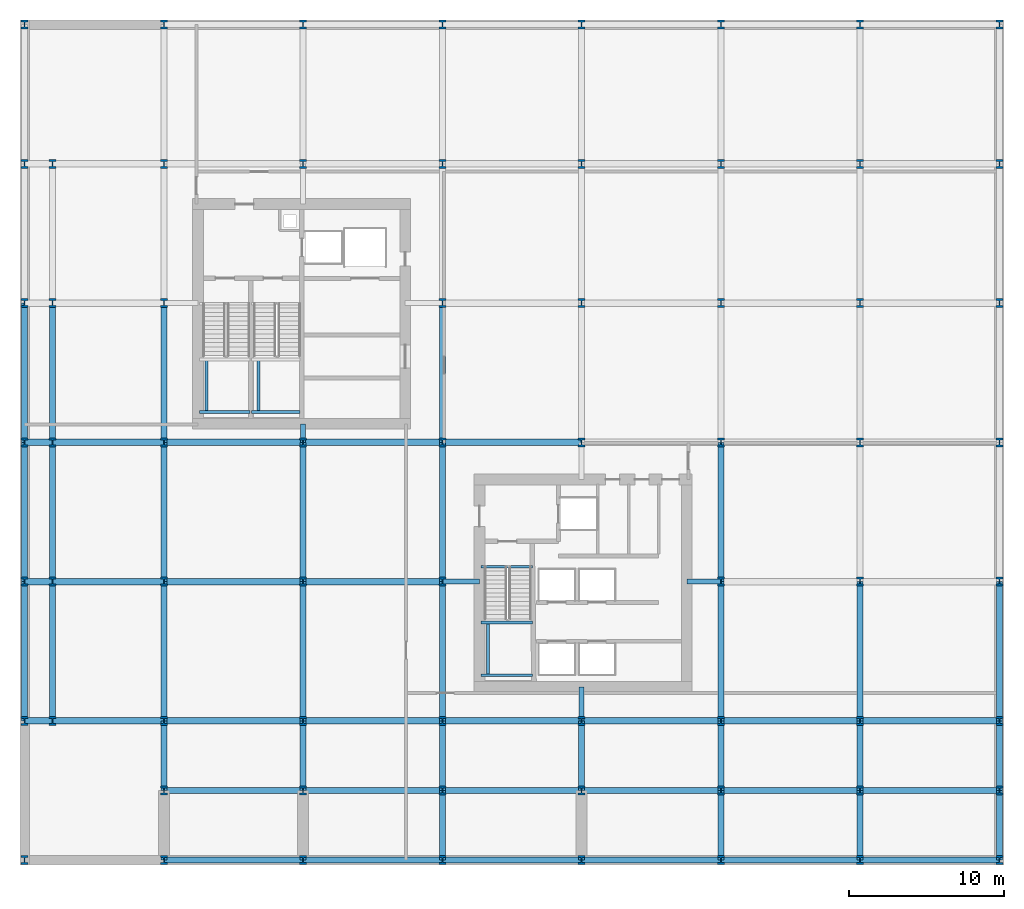
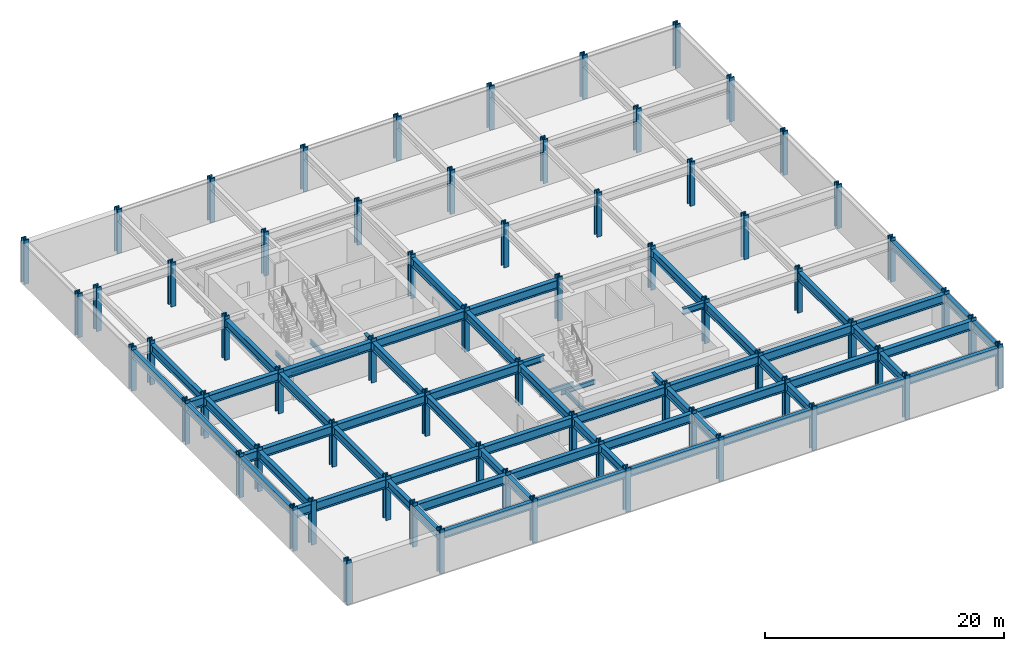
# One storey, part 1 of 6: 73 beams, 66 columns.
"""IFC4 building model written with IfcOpenShell, lengths in metres."""

from ifc_helpers import new_model, si_unit, direction, frame, origin, origin_2d, place, context, subcontext, project, spatial, i_section, extrude, material, material_profile, profile_set, type_object, element, save


model = new_model("IFC4")

# Units and contexts
model_context = context("Model", 3, precision=1e-05, world=origin(), true_north=direction((0.0, 1.0)))
body_context = subcontext(model_context, "Body", "Model", "MODEL_VIEW")
ifc_project = project(units=[si_unit("LENGTHUNIT", "METRE"), si_unit("AREAUNIT", "SQUARE_METRE"), si_unit("VOLUMEUNIT", "CUBIC_METRE"), si_unit("PLANEANGLEUNIT", "RADIAN"), si_unit("MASSUNIT", "GRAM", prefix="KILO")], contexts=[model_context])

# Site, building, storey
site_placement = place(None, origin())
site = spatial("IfcSite", under=ifc_project, at=site_placement, CompositionType="ELEMENT")
building_placement = place(site_placement, origin())
building = spatial("IfcBuilding", under=site, at=building_placement, Name="Solvaryn Broadcast Tower", CompositionType="ELEMENT")
storey_placement = place(building_placement, frame((0.0, 0.0, -4.5)))
storey = spatial("IfcBuildingStorey", under=building, at=storey_placement, Name="B01", CompositionType="ELEMENT", Elevation=-4.5)

# Columns
ifc_material_1 = material(Name="Steel ASTM A913 Grade 65", Category="steel")
ifc_material_profile_1 = material_profile(ifc_material_1, i_section(OverallWidth=0.4541015625, OverallDepth=0.569091796875, WebThickness=0.077880859375, FlangeThickness=0.124755859375, FilletRadius=0.014892578125, at=origin_2d()))
ifc_profile_set_1 = profile_set([ifc_material_profile_1], Name="Steel ASTM A913 Grade 65")
column_type_1 = type_object("IfcColumnType", Name="COL-C01E-W14X730", PredefinedType="COLUMN", material=ifc_profile_set_1)
for number, where, z_axis, x_axis, name in (
    (1, (0.0, 0.0, 0.0), (0.0, 0.0, 1.0), (1.0, 0.0, 0.0), "B01 Column (0.0, 0.0)"),
    (2, (0.0, 9.0, 0.0), (0.0, 0.0, 1.0), (1.0, 0.0, 0.0), "B01 Column (0.0, 9.0)"),
    (3, (0.0, 18.0, 0.0), (0.0, 0.0, 1.0), (1.0, 0.0, 0.0), "B01 Column (0.0, 18.0)"),
    (4, (0.0, 27.0, 0.0), (0.0, 0.0, 1.0), (1.0, 0.0, 0.0), "B01 Column (0.0, 27.0)"),
    (5, (0.0, 36.0, 0.0), (0.0, 0.0, 1.0), (1.0, 0.0, 0.0), "B01 Column (0.0, 36.0)"),
    (6, (0.0, 45.0, 0.0), (0.0, 0.0, 1.0), (1.0, 0.0, 0.0), "B01 Column (0.0, 45.0)"),
    (7, (0.0, 54.0, 0.0), (0.0, 0.0, 1.0), (1.0, 0.0, 0.0), "B01 Column (0.0, 54.0)"),
    (8, (9.0, 0.0, 0.0), (0.0, 0.0, 1.0), (1.0, 0.0, 0.0), "B01 Column (9.0, 0.0)"),
    (9, (9.0, 54.0, 0.0), (0.0, 0.0, 1.0), (1.0, 0.0, 0.0), "B01 Column (9.0, 54.0)"),
    (10, (18.0, 0.0, 0.0), (0.0, 0.0, 1.0), (1.0, 0.0, 0.0), "B01 Column (18.0, 0.0)"),
    (11, (18.0, 54.0, 0.0), (0.0, 0.0, 1.0), (1.0, 0.0, 0.0), "B01 Column (18.0, 54.0)"),
    (12, (27.0, 0.0, 0.0), (0.0, 0.0, 1.0), (1.0, 0.0, 0.0), "B01 Column (27.0, 0.0)"),
    (13, (27.0, 54.0, 0.0), (0.0, 0.0, 1.0), (1.0, 0.0, 0.0), "B01 Column (27.0, 54.0)"),
    (14, (36.0, 0.0, 0.0), (0.0, 0.0, 1.0), (1.0, 0.0, 0.0), "B01 Column (36.0, 0.0)"),
    (15, (36.0, 54.0, 0.0), (0.0, 0.0, 1.0), (1.0, 0.0, 0.0), "B01 Column (36.0, 54.0)"),
    (16, (45.0, 0.0, 0.0), (0.0, 0.0, 1.0), (1.0, 0.0, 0.0), "B01 Column (45.0, 0.0)"),
    (17, (45.0, 54.0, 0.0), (0.0, 0.0, 1.0), (1.0, 0.0, 0.0), "B01 Column (45.0, 54.0)"),
    (18, (54.0, 0.0, 0.0), (0.0, 0.0, 1.0), (1.0, 0.0, 0.0), "B01 Column (54.0, 0.0)"),
    (19, (54.0, 54.0, 0.0), (0.0, 0.0, 1.0), (1.0, 0.0, 0.0), "B01 Column (54.0, 54.0)"),
    (20, (63.0, 0.0, 0.0), (0.0, 0.0, 1.0), (1.0, 0.0, 0.0), "B01 Column (63.0, 0.0)"),
    (21, (63.0, 9.0, 0.0), (0.0, 0.0, 1.0), (1.0, 0.0, 0.0), "B01 Column (63.0, 9.0)"),
    (22, (63.0, 18.0, 0.0), (0.0, 0.0, 1.0), (1.0, 0.0, 0.0), "B01 Column (63.0, 18.0)"),
    (23, (63.0, 27.0, 0.0), (0.0, 0.0, 1.0), (1.0, 0.0, 0.0), "B01 Column (63.0, 27.0)"),
    (24, (63.0, 36.0, 0.0), (0.0, 0.0, 1.0), (1.0, 0.0, 0.0), "B01 Column (63.0, 36.0)"),
    (25, (63.0, 45.0, 0.0), (0.0, 0.0, 1.0), (1.0, 0.0, 0.0), "B01 Column (63.0, 45.0)"),
    (26, (63.0, 54.0, 0.0), (0.0, 0.0, 1.0), (1.0, 0.0, 0.0), "B01 Column (63.0, 54.0)"),
):
    element("IfcColumn", number, at=place(storey_placement, frame(where, z_axis=z_axis, x_axis=x_axis)), inside=storey, type_object=column_type_1, Name=name, PredefinedType="COLUMN", context=body_context, shape_type="SweptSolid", body=[
        extrude(i_section(OverallWidth=0.4541015625, OverallDepth=0.569091796875, WebThickness=0.077880859375, FlangeThickness=0.124755859375, FilletRadius=0.014892578125, at=origin_2d()), origin(), (0.0, 0.0, 1.0), 4.5),
    ])
ifc_material_2 = material(Name="Steel ASTM A913 Grade 65", Category="steel")
ifc_material_profile_2 = material_profile(ifc_material_2, i_section(OverallWidth=0.4541015625, OverallDepth=0.569091796875, WebThickness=0.077880859375, FlangeThickness=0.124755859375, FilletRadius=0.014892578125, at=origin_2d()))
ifc_profile_set_2 = profile_set([ifc_material_profile_2], Name="Steel ASTM A913 Grade 65")
column_type_2 = type_object("IfcColumnType", Name="COL-C01I-W14X730", PredefinedType="COLUMN", material=ifc_profile_set_2)
for number, where, z_axis, x_axis, name in (
    (27, (9.0, 9.0, 0.0), (0.0, 0.0, 1.0), (1.0, 0.0, 0.0), "B01 Column (9.0, 9.0)"),
    (28, (9.0, 18.0, 0.0), (0.0, 0.0, 1.0), (1.0, 0.0, 0.0), "B01 Column (9.0, 18.0)"),
    (29, (9.0, 27.0, 0.0), (0.0, 0.0, 1.0), (1.0, 0.0, 0.0), "B01 Column (9.0, 27.0)"),
    (30, (9.0, 36.0, 0.0), (0.0, 0.0, 1.0), (1.0, 0.0, 0.0), "B01 Column (9.0, 36.0)"),
    (31, (9.0, 45.0, 0.0), (0.0, 0.0, 1.0), (1.0, 0.0, 0.0), "B01 Column (9.0, 45.0)"),
    (32, (18.0, 9.0, 0.0), (0.0, 0.0, 1.0), (1.0, 0.0, 0.0), "B01 Column (18.0, 9.0)"),
    (33, (18.0, 18.0, 0.0), (0.0, 0.0, 1.0), (1.0, 0.0, 0.0), "B01 Column (18.0, 18.0)"),
    (34, (18.0, 27.0, 0.0), (0.0, 0.0, 1.0), (1.0, 0.0, 0.0), "B01 Column (18.0, 27.0)"),
    (35, (18.0, 45.0, 0.0), (0.0, 0.0, 1.0), (1.0, 0.0, 0.0), "B01 Column (18.0, 45.0)"),
    (36, (27.0, 9.0, 0.0), (0.0, 0.0, 1.0), (1.0, 0.0, 0.0), "B01 Column (27.0, 9.0)"),
    (37, (27.0, 18.0, 0.0), (0.0, 0.0, 1.0), (1.0, 0.0, 0.0), "B01 Column (27.0, 18.0)"),
    (38, (27.0, 27.0, 0.0), (0.0, 0.0, 1.0), (1.0, 0.0, 0.0), "B01 Column (27.0, 27.0)"),
    (39, (27.0, 36.0, 0.0), (0.0, 0.0, 1.0), (1.0, 0.0, 0.0), "B01 Column (27.0, 36.0)"),
    (40, (27.0, 45.0, 0.0), (0.0, 0.0, 1.0), (1.0, 0.0, 0.0), "B01 Column (27.0, 45.0)"),
    (41, (36.0, 9.0, 0.0), (0.0, 0.0, 1.0), (1.0, 0.0, 0.0), "B01 Column (36.0, 9.0)"),
    (42, (36.0, 27.0, 0.0), (0.0, 0.0, 1.0), (1.0, 0.0, 0.0), "B01 Column (36.0, 27.0)"),
    (43, (36.0, 36.0, 0.0), (0.0, 0.0, 1.0), (1.0, 0.0, 0.0), "B01 Column (36.0, 36.0)"),
    (44, (36.0, 45.0, 0.0), (0.0, 0.0, 1.0), (1.0, 0.0, 0.0), "B01 Column (36.0, 45.0)"),
    (45, (45.0, 9.0, 0.0), (0.0, 0.0, 1.0), (1.0, 0.0, 0.0), "B01 Column (45.0, 9.0)"),
    (46, (45.0, 18.0, 0.0), (0.0, 0.0, 1.0), (1.0, 0.0, 0.0), "B01 Column (45.0, 18.0)"),
    (47, (45.0, 27.0, 0.0), (0.0, 0.0, 1.0), (1.0, 0.0, 0.0), "B01 Column (45.0, 27.0)"),
    (48, (45.0, 36.0, 0.0), (0.0, 0.0, 1.0), (1.0, 0.0, 0.0), "B01 Column (45.0, 36.0)"),
    (49, (45.0, 45.0, 0.0), (0.0, 0.0, 1.0), (1.0, 0.0, 0.0), "B01 Column (45.0, 45.0)"),
    (50, (54.0, 9.0, 0.0), (0.0, 0.0, 1.0), (1.0, 0.0, 0.0), "B01 Column (54.0, 9.0)"),
    (51, (54.0, 18.0, 0.0), (0.0, 0.0, 1.0), (1.0, 0.0, 0.0), "B01 Column (54.0, 18.0)"),
    (52, (54.0, 27.0, 0.0), (0.0, 0.0, 1.0), (1.0, 0.0, 0.0), "B01 Column (54.0, 27.0)"),
    (53, (54.0, 36.0, 0.0), (0.0, 0.0, 1.0), (1.0, 0.0, 0.0), "B01 Column (54.0, 36.0)"),
    (54, (54.0, 45.0, 0.0), (0.0, 0.0, 1.0), (1.0, 0.0, 0.0), "B01 Column (54.0, 45.0)"),
    (55, (9.0, 4.5, 0.0), (0.0, 0.0, 1.0), (1.0, 0.0, 0.0), "B01 Column (9.0, 4.5)"),
    (56, (18.0, 4.5, 0.0), (0.0, 0.0, 1.0), (1.0, 0.0, 0.0), "B01 Column (18.0, 4.5)"),
    (57, (27.0, 4.5, 0.0), (0.0, 0.0, 1.0), (1.0, 0.0, 0.0), "B01 Column (27.0, 4.5)"),
    (58, (36.0, 4.5, 0.0), (0.0, 0.0, 1.0), (1.0, 0.0, 0.0), "B01 Column (36.0, 4.5)"),
    (59, (45.0, 4.5, 0.0), (0.0, 0.0, 1.0), (1.0, 0.0, 0.0), "B01 Column (45.0, 4.5)"),
    (60, (54.0, 4.5, 0.0), (0.0, 0.0, 1.0), (1.0, 0.0, 0.0), "B01 Column (54.0, 4.5)"),
    (61, (63.0, 4.5, 0.0), (0.0, 0.0, 1.0), (1.0, 0.0, 0.0), "B01 Column (63.0, 4.5)"),
    (62, (1.800048828125, 9.0, 0.0), (0.0, 0.0, 1.0), (1.0, 0.0, 0.0), "B01 Column (1.8, 9.0)"),
    (63, (1.800048828125, 18.0, 0.0), (0.0, 0.0, 1.0), (1.0, 0.0, 0.0), "B01 Column (1.8, 18.0)"),
    (64, (1.800048828125, 27.0, 0.0), (0.0, 0.0, 1.0), (1.0, 0.0, 0.0), "B01 Column (1.8, 27.0)"),
    (65, (1.800048828125, 36.0, 0.0), (0.0, 0.0, 1.0), (1.0, 0.0, 0.0), "B01 Column (1.8, 36.0)"),
    (66, (1.800048828125, 45.0, 0.0), (0.0, 0.0, 1.0), (1.0, 0.0, 0.0), "B01 Column (1.8, 45.0)"),
):
    element("IfcColumn", number, at=place(storey_placement, frame(where, z_axis=z_axis, x_axis=x_axis)), inside=storey, type_object=column_type_2, Name=name, PredefinedType="COLUMN", context=body_context, shape_type="SweptSolid", body=[
        extrude(i_section(OverallWidth=0.4541015625, OverallDepth=0.569091796875, WebThickness=0.077880859375, FlangeThickness=0.124755859375, FilletRadius=0.014892578125, at=origin_2d()), origin(), (0.0, 0.0, 1.0), 4.5),
    ])

# Beams
ifc_material_3 = material(Name="Steel ASTM A992 Grade 50", Category="steel")
ifc_material_profile_3 = material_profile(ifc_material_3, i_section(OverallWidth=0.323974609375, OverallDepth=0.611083984375, WebThickness=0.0126953125, FlangeThickness=0.01904296875, FilletRadius=0.014892578125, at=origin_2d()))
ifc_profile_set_3 = profile_set([ifc_material_profile_3], Name="Steel ASTM A992 Grade 50")
beam_type_1 = type_object("IfcBeamType", Name="BM-B1-W24X104", PredefinedType="BEAM", material=ifc_profile_set_3)
for number, where, z_axis, x_axis, name in (
    (67, (36.0, 9.0, 3.87451171875), (0.0, 1.0, 0.0), (-1.0, 0.0, 0.0), "B01 Core Tie Beam CTE1"),
    (68, (42.800048828125, 18.0, 3.87451171875), (1.0, 0.0, 0.0), (0.0, 1.0, 0.0), "B01 Core Tie Beam CTE3"),
):
    element("IfcBeam", number, at=place(storey_placement, frame(where, z_axis=z_axis, x_axis=x_axis)), inside=storey, type_object=beam_type_1, Name=name, PredefinedType="BEAM", context=body_context, shape_type="SweptSolid", body=[
        extrude(i_section(OverallWidth=0.323974609375, OverallDepth=0.611083984375, WebThickness=0.0126953125, FlangeThickness=0.01904296875, FilletRadius=0.014892578125, at=origin_2d()), origin(), (0.0, 0.0, 1.0), 2.199951171875),
    ])
beam_1_placement = place(storey_placement, frame((18.0, 27.0, 3.87451171875), z_axis=(0.0, 1.0, 0.0), x_axis=(-1.0, 0.0, 0.0)))
element("IfcBeam", 69, at=beam_1_placement, inside=storey, type_object=beam_type_1, Name="B01 Core Tie Beam CTW4", PredefinedType="BEAM", context=body_context, shape_type="SweptSolid", body=[
    extrude(i_section(OverallWidth=0.323974609375, OverallDepth=0.611083984375, WebThickness=0.0126953125, FlangeThickness=0.01904296875, FilletRadius=0.014892578125, at=origin_2d()), origin(), (0.0, 0.0, 1.0), 1.199951171875),
])
beam_2_placement = place(storey_placement, frame((27.0, 18.0, 3.87451171875), z_axis=(1.0, 0.0, 0.0), x_axis=(0.0, 1.0, 0.0)))
element("IfcBeam", 70, at=beam_2_placement, inside=storey, type_object=beam_type_1, Name="B01 Core Tie Beam CTE4", PredefinedType="BEAM", context=body_context, shape_type="SweptSolid", body=[
    extrude(i_section(OverallWidth=0.323974609375, OverallDepth=0.611083984375, WebThickness=0.0126953125, FlangeThickness=0.01904296875, FilletRadius=0.014892578125, at=origin_2d()), origin(), (0.0, 0.0, 1.0), 2.39990234375),
])
ifc_material_4 = material(Name="Steel ASTM A992 Grade 50", Category="steel")
ifc_material_profile_4 = material_profile(ifc_material_4, i_section(OverallWidth=0.18994140625, OverallDepth=0.45703125, WebThickness=0.009033203125, FlangeThickness=0.014404296875, FilletRadius=0.011962890625, at=origin_2d()))
ifc_profile_set_4 = profile_set([ifc_material_profile_4], Name="Steel ASTM A992 Grade 50")
beam_type_2 = type_object("IfcBeamType", Name="BM-B4-W18X50", PredefinedType="BEAM", material=ifc_profile_set_4)
beam_3_placement = place(storey_placement, frame((11.300048828125, 28.949951171875, 1.821533203125), z_axis=(1.0, 0.0, 0.0), x_axis=(0.0, 1.0, 0.0)))
element("IfcBeam", 71, at=beam_3_placement, inside=storey, type_object=beam_type_2, Name="B01 ST1 Landing Support Beam 1A", PredefinedType="BEAM", context=body_context, shape_type="SweptSolid", body=[
    extrude(i_section(OverallWidth=0.18994140625, OverallDepth=0.45703125, WebThickness=0.009033203125, FlangeThickness=0.014404296875, FilletRadius=0.011962890625, at=origin_2d()), origin(), (0.0, 0.0, 1.0), 3.280029296875),
])
beam_4_placement = place(storey_placement, frame((11.75, 28.949951171875, 1.821533203125), z_axis=(0.0, 1.0, 0.0), x_axis=(-1.0, 0.0, 0.0)))
element("IfcBeam", 72, at=beam_4_placement, inside=storey, type_object=beam_type_2, Name="B01 ST1 Landing Cross Stringer 1C", PredefinedType="BEAM", context=body_context, shape_type="SweptSolid", body=[
    extrude(i_section(OverallWidth=0.18994140625, OverallDepth=0.45703125, WebThickness=0.009033203125, FlangeThickness=0.014404296875, FilletRadius=0.011962890625, at=origin_2d()), origin(), (0.0, 0.0, 1.0), 3.400146484375),
])
beam_5_placement = place(storey_placement, frame((14.659912109375, 28.949951171875, 1.821533203125), z_axis=(1.0, 0.0, 0.0), x_axis=(0.0, 1.0, 0.0)))
element("IfcBeam", 73, at=beam_5_placement, inside=storey, type_object=beam_type_2, Name="B01 ST2 Landing Support Beam 1A", PredefinedType="BEAM", context=body_context, shape_type="SweptSolid", body=[
    extrude(i_section(OverallWidth=0.18994140625, OverallDepth=0.45703125, WebThickness=0.009033203125, FlangeThickness=0.014404296875, FilletRadius=0.011962890625, at=origin_2d()), origin(), (0.0, 0.0, 1.0), 3.14013671875),
])
beam_6_placement = place(storey_placement, frame((15.110107421875, 28.949951171875, 1.821533203125), z_axis=(0.0, 1.0, 0.0), x_axis=(-1.0, 0.0, 0.0)))
element("IfcBeam", 74, at=beam_6_placement, inside=storey, type_object=beam_type_2, Name="B01 ST2 Landing Cross Stringer 1C", PredefinedType="BEAM", context=body_context, shape_type="SweptSolid", body=[
    extrude(i_section(OverallWidth=0.18994140625, OverallDepth=0.45703125, WebThickness=0.009033203125, FlangeThickness=0.014404296875, FilletRadius=0.011962890625, at=origin_2d()), origin(), (0.0, 0.0, 1.0), 3.400146484375),
])
for number, where, z_axis, x_axis, name in (
    (75, (29.5, 18.9599609375, -0.57861328125), (1.0, 0.0, 0.0), (0.0, 1.0, 0.0), "B01 ST3 Stair Well Trimmer Beam"),
    (76, (29.5, 11.949951171875, 1.821533203125), (1.0, 0.0, 0.0), (0.0, 1.0, 0.0), "B01 ST3 Landing Support Beam 1A"),
    (77, (29.5, 15.35009765625, 1.821533203125), (1.0, 0.0, 0.0), (0.0, 1.0, 0.0), "B01 ST3 Landing Support Beam 1B"),
):
    element("IfcBeam", number, at=place(storey_placement, frame(where, z_axis=z_axis, x_axis=x_axis)), inside=storey, type_object=beam_type_2, Name=name, PredefinedType="BEAM", context=body_context, shape_type="SweptSolid", body=[
        extrude(i_section(OverallWidth=0.18994140625, OverallDepth=0.45703125, WebThickness=0.009033203125, FlangeThickness=0.014404296875, FilletRadius=0.011962890625, at=origin_2d()), origin(), (0.0, 0.0, 1.0), 3.320068359375),
    ])
beam_7_placement = place(storey_placement, frame((29.949951171875, 11.949951171875, 1.821533203125), z_axis=(0.0, 1.0, 0.0), x_axis=(-1.0, 0.0, 0.0)))
element("IfcBeam", 78, at=beam_7_placement, inside=storey, type_object=beam_type_2, Name="B01 ST3 Landing Cross Stringer 1C", PredefinedType="BEAM", context=body_context, shape_type="SweptSolid", body=[
    extrude(i_section(OverallWidth=0.18994140625, OverallDepth=0.45703125, WebThickness=0.009033203125, FlangeThickness=0.014404296875, FilletRadius=0.011962890625, at=origin_2d()), origin(), (0.0, 0.0, 1.0), 3.400146484375),
])
ifc_material_5 = material(Name="Steel ASTM A992 Grade 50", Category="steel")
ifc_material_profile_5 = material_profile(ifc_material_5, i_section(OverallWidth=0.41796875, OverallDepth=0.927001953125, WebThickness=0.019287109375, FlangeThickness=0.031982421875, FilletRadius=0.02392578125, at=origin_2d()))
ifc_profile_set_5 = profile_set([ifc_material_profile_5], Name="Steel ASTM A992 Grade 50")
beam_type_3 = type_object("IfcBeamType", Name="BM-G2-W36X231", PredefinedType="BEAM", material=ifc_profile_set_5)
for number, where, z_axis, x_axis, name in (
    (79, (9.0, 4.5, 3.716552734375), (1.0, 0.0, 0.0), (0.0, 1.0, 0.0), "B01 Primary Beam X (9-18 @ Y=4)"),
    (80, (18.0, 4.5, 3.716552734375), (1.0, 0.0, 0.0), (0.0, 1.0, 0.0), "B01 Primary Beam X (18-27 @ Y=4)"),
    (81, (27.0, 4.5, 3.716552734375), (1.0, 0.0, 0.0), (0.0, 1.0, 0.0), "B01 Primary Beam X (27-36 @ Y=4)"),
    (82, (36.0, 4.5, 3.716552734375), (1.0, 0.0, 0.0), (0.0, 1.0, 0.0), "B01 Primary Beam X (36-45 @ Y=4)"),
    (83, (45.0, 4.5, 3.716552734375), (1.0, 0.0, 0.0), (0.0, 1.0, 0.0), "B01 Primary Beam X (45-54 @ Y=4)"),
    (84, (54.0, 4.5, 3.716552734375), (1.0, 0.0, 0.0), (0.0, 1.0, 0.0), "B01 Primary Beam X (54-63 @ Y=4)"),
):
    element("IfcBeam", number, at=place(storey_placement, frame(where, z_axis=z_axis, x_axis=x_axis)), inside=storey, type_object=beam_type_3, Name=name, PredefinedType="BEAM", context=body_context, shape_type="SweptSolid", body=[
        extrude(i_section(OverallWidth=0.41796875, OverallDepth=0.927001953125, WebThickness=0.019287109375, FlangeThickness=0.031982421875, FilletRadius=0.02392578125, at=origin_2d()), origin(), (0.0, 0.0, 1.0), 9.0),
    ])
beam_8_placement = place(storey_placement, frame((0.0, 9.0, 3.716552734375), z_axis=(1.0, 0.0, 0.0), x_axis=(0.0, 1.0, 0.0)))
element("IfcBeam", 85, at=beam_8_placement, inside=storey, type_object=beam_type_3, Name="B01 Primary Beam X (0-2 @ Y=9)", PredefinedType="BEAM", context=body_context, shape_type="SweptSolid", body=[
    extrude(i_section(OverallWidth=0.41796875, OverallDepth=0.927001953125, WebThickness=0.019287109375, FlangeThickness=0.031982421875, FilletRadius=0.02392578125, at=origin_2d()), origin(), (0.0, 0.0, 1.0), 1.800048828125),
])
beam_9_placement = place(storey_placement, frame((1.800048828125, 9.0, 3.716552734375), z_axis=(1.0, 0.0, 0.0), x_axis=(0.0, 1.0, 0.0)))
element("IfcBeam", 86, at=beam_9_placement, inside=storey, type_object=beam_type_3, Name="B01 Primary Beam X (2-9 @ Y=9)", PredefinedType="BEAM", context=body_context, shape_type="SweptSolid", body=[
    extrude(i_section(OverallWidth=0.41796875, OverallDepth=0.927001953125, WebThickness=0.019287109375, FlangeThickness=0.031982421875, FilletRadius=0.02392578125, at=origin_2d()), origin(), (0.0, 0.0, 1.0), 7.199951171875),
])
for number, where, z_axis, x_axis, name in (
    (87, (9.0, 9.0, 3.716552734375), (1.0, 0.0, 0.0), (0.0, 1.0, 0.0), "B01 Primary Beam X (9-18 @ Y=9)"),
    (88, (18.0, 9.0, 3.716552734375), (1.0, 0.0, 0.0), (0.0, 1.0, 0.0), "B01 Primary Beam X (18-27 @ Y=9)"),
    (89, (27.0, 9.0, 3.716552734375), (1.0, 0.0, 0.0), (0.0, 1.0, 0.0), "B01 Primary Beam X (27-36 @ Y=9)"),
    (90, (36.0, 9.0, 3.716552734375), (1.0, 0.0, 0.0), (0.0, 1.0, 0.0), "B01 Primary Beam X (36-45 @ Y=9)"),
    (91, (45.0, 9.0, 3.716552734375), (1.0, 0.0, 0.0), (0.0, 1.0, 0.0), "B01 Primary Beam X (45-54 @ Y=9)"),
    (92, (54.0, 9.0, 3.716552734375), (1.0, 0.0, 0.0), (0.0, 1.0, 0.0), "B01 Primary Beam X (54-63 @ Y=9)"),
):
    element("IfcBeam", number, at=place(storey_placement, frame(where, z_axis=z_axis, x_axis=x_axis)), inside=storey, type_object=beam_type_3, Name=name, PredefinedType="BEAM", context=body_context, shape_type="SweptSolid", body=[
        extrude(i_section(OverallWidth=0.41796875, OverallDepth=0.927001953125, WebThickness=0.019287109375, FlangeThickness=0.031982421875, FilletRadius=0.02392578125, at=origin_2d()), origin(), (0.0, 0.0, 1.0), 9.0),
    ])
beam_10_placement = place(storey_placement, frame((0.0, 18.0, 3.716552734375), z_axis=(1.0, 0.0, 0.0), x_axis=(0.0, 1.0, 0.0)))
element("IfcBeam", 93, at=beam_10_placement, inside=storey, type_object=beam_type_3, Name="B01 Primary Beam X (0-2 @ Y=18)", PredefinedType="BEAM", context=body_context, shape_type="SweptSolid", body=[
    extrude(i_section(OverallWidth=0.41796875, OverallDepth=0.927001953125, WebThickness=0.019287109375, FlangeThickness=0.031982421875, FilletRadius=0.02392578125, at=origin_2d()), origin(), (0.0, 0.0, 1.0), 1.800048828125),
])
beam_11_placement = place(storey_placement, frame((1.800048828125, 18.0, 3.716552734375), z_axis=(1.0, 0.0, 0.0), x_axis=(0.0, 1.0, 0.0)))
element("IfcBeam", 94, at=beam_11_placement, inside=storey, type_object=beam_type_3, Name="B01 Primary Beam X (2-9 @ Y=18)", PredefinedType="BEAM", context=body_context, shape_type="SweptSolid", body=[
    extrude(i_section(OverallWidth=0.41796875, OverallDepth=0.927001953125, WebThickness=0.019287109375, FlangeThickness=0.031982421875, FilletRadius=0.02392578125, at=origin_2d()), origin(), (0.0, 0.0, 1.0), 7.199951171875),
])
for number, where, z_axis, x_axis, name in (
    (95, (9.0, 18.0, 3.716552734375), (1.0, 0.0, 0.0), (0.0, 1.0, 0.0), "B01 Primary Beam X (9-18 @ Y=18)"),
    (96, (18.0, 18.0, 3.716552734375), (1.0, 0.0, 0.0), (0.0, 1.0, 0.0), "B01 Primary Beam X (18-27 @ Y=18)"),
):
    element("IfcBeam", number, at=place(storey_placement, frame(where, z_axis=z_axis, x_axis=x_axis)), inside=storey, type_object=beam_type_3, Name=name, PredefinedType="BEAM", context=body_context, shape_type="SweptSolid", body=[
        extrude(i_section(OverallWidth=0.41796875, OverallDepth=0.927001953125, WebThickness=0.019287109375, FlangeThickness=0.031982421875, FilletRadius=0.02392578125, at=origin_2d()), origin(), (0.0, 0.0, 1.0), 9.0),
    ])
beam_12_placement = place(storey_placement, frame((0.0, 27.0, 3.716552734375), z_axis=(1.0, 0.0, 0.0), x_axis=(0.0, 1.0, 0.0)))
element("IfcBeam", 97, at=beam_12_placement, inside=storey, type_object=beam_type_3, Name="B01 Primary Beam X (0-2 @ Y=27)", PredefinedType="BEAM", context=body_context, shape_type="SweptSolid", body=[
    extrude(i_section(OverallWidth=0.41796875, OverallDepth=0.927001953125, WebThickness=0.019287109375, FlangeThickness=0.031982421875, FilletRadius=0.02392578125, at=origin_2d()), origin(), (0.0, 0.0, 1.0), 1.800048828125),
])
beam_13_placement = place(storey_placement, frame((1.800048828125, 27.0, 3.716552734375), z_axis=(1.0, 0.0, 0.0), x_axis=(0.0, 1.0, 0.0)))
element("IfcBeam", 98, at=beam_13_placement, inside=storey, type_object=beam_type_3, Name="B01 Primary Beam X (2-9 @ Y=27)", PredefinedType="BEAM", context=body_context, shape_type="SweptSolid", body=[
    extrude(i_section(OverallWidth=0.41796875, OverallDepth=0.927001953125, WebThickness=0.019287109375, FlangeThickness=0.031982421875, FilletRadius=0.02392578125, at=origin_2d()), origin(), (0.0, 0.0, 1.0), 7.199951171875),
])
for number, where, z_axis, x_axis, name in (
    (99, (9.0, 27.0, 3.716552734375), (1.0, 0.0, 0.0), (0.0, 1.0, 0.0), "B01 Primary Beam X (9-18 @ Y=27)"),
    (100, (18.0, 27.0, 3.716552734375), (1.0, 0.0, 0.0), (0.0, 1.0, 0.0), "B01 Primary Beam X (18-27 @ Y=27)"),
    (101, (27.0, 27.0, 3.716552734375), (1.0, 0.0, 0.0), (0.0, 1.0, 0.0), "B01 Primary Beam X (27-36 @ Y=27)"),
):
    element("IfcBeam", number, at=place(storey_placement, frame(where, z_axis=z_axis, x_axis=x_axis)), inside=storey, type_object=beam_type_3, Name=name, PredefinedType="BEAM", context=body_context, shape_type="SweptSolid", body=[
        extrude(i_section(OverallWidth=0.41796875, OverallDepth=0.927001953125, WebThickness=0.019287109375, FlangeThickness=0.031982421875, FilletRadius=0.02392578125, at=origin_2d()), origin(), (0.0, 0.0, 1.0), 9.0),
    ])
ifc_material_6 = material(Name="Steel ASTM A992 Grade 50", Category="steel")
ifc_material_profile_6 = material_profile(ifc_material_6, i_section(OverallWidth=0.39990234375, OverallDepth=0.85498046875, WebThickness=0.018310546875, FlangeThickness=0.029296875, FilletRadius=0.02001953125, at=origin_2d()))
ifc_profile_set_6 = profile_set([ifc_material_profile_6], Name="Steel ASTM A992 Grade 50")
beam_type_4 = type_object("IfcBeamType", Name="BM-G3-W33X201", PredefinedType="BEAM", material=ifc_profile_set_6)
for number, where, z_axis, x_axis, name in (
    (102, (1.800048828125, 9.0, 3.75244140625), (0.0, 1.0, 0.0), (-1.0, 0.0, 0.0), "B01 Primary Beam Y (9-18 @ X=2)"),
    (103, (1.800048828125, 18.0, 3.75244140625), (0.0, 1.0, 0.0), (-1.0, 0.0, 0.0), "B01 Primary Beam Y (18-27 @ X=2)"),
    (104, (1.800048828125, 27.0, 3.75244140625), (0.0, 1.0, 0.0), (-1.0, 0.0, 0.0), "B01 Primary Beam Y (27-36 @ X=2)"),
):
    element("IfcBeam", number, at=place(storey_placement, frame(where, z_axis=z_axis, x_axis=x_axis)), inside=storey, type_object=beam_type_4, Name=name, PredefinedType="BEAM", context=body_context, shape_type="SweptSolid", body=[
        extrude(i_section(OverallWidth=0.39990234375, OverallDepth=0.85498046875, WebThickness=0.018310546875, FlangeThickness=0.029296875, FilletRadius=0.02001953125, at=origin_2d()), origin(), (0.0, 0.0, 1.0), 9.0),
    ])
for number, where, z_axis, x_axis, name in (
    (105, (9.0, 0.0, 3.75244140625), (0.0, 1.0, 0.0), (-1.0, 0.0, 0.0), "B01 Primary Beam Y (0-4 @ X=9)"),
    (106, (9.0, 4.5, 3.75244140625), (0.0, 1.0, 0.0), (-1.0, 0.0, 0.0), "B01 Primary Beam Y (4-9 @ X=9)"),
):
    element("IfcBeam", number, at=place(storey_placement, frame(where, z_axis=z_axis, x_axis=x_axis)), inside=storey, type_object=beam_type_4, Name=name, PredefinedType="BEAM", context=body_context, shape_type="SweptSolid", body=[
        extrude(i_section(OverallWidth=0.39990234375, OverallDepth=0.85498046875, WebThickness=0.018310546875, FlangeThickness=0.029296875, FilletRadius=0.02001953125, at=origin_2d()), origin(), (0.0, 0.0, 1.0), 4.5),
    ])
for number, where, z_axis, x_axis, name in (
    (107, (9.0, 9.0, 3.75244140625), (0.0, 1.0, 0.0), (-1.0, 0.0, 0.0), "B01 Primary Beam Y (9-18 @ X=9)"),
    (108, (9.0, 18.0, 3.75244140625), (0.0, 1.0, 0.0), (-1.0, 0.0, 0.0), "B01 Primary Beam Y (18-27 @ X=9)"),
    (109, (9.0, 27.0, 3.75244140625), (0.0, 1.0, 0.0), (-1.0, 0.0, 0.0), "B01 Primary Beam Y (27-36 @ X=9)"),
):
    element("IfcBeam", number, at=place(storey_placement, frame(where, z_axis=z_axis, x_axis=x_axis)), inside=storey, type_object=beam_type_4, Name=name, PredefinedType="BEAM", context=body_context, shape_type="SweptSolid", body=[
        extrude(i_section(OverallWidth=0.39990234375, OverallDepth=0.85498046875, WebThickness=0.018310546875, FlangeThickness=0.029296875, FilletRadius=0.02001953125, at=origin_2d()), origin(), (0.0, 0.0, 1.0), 9.0),
    ])
for number, where, z_axis, x_axis, name in (
    (110, (18.0, 0.0, 3.75244140625), (0.0, 1.0, 0.0), (-1.0, 0.0, 0.0), "B01 Primary Beam Y (0-4 @ X=18)"),
    (111, (18.0, 4.5, 3.75244140625), (0.0, 1.0, 0.0), (-1.0, 0.0, 0.0), "B01 Primary Beam Y (4-9 @ X=18)"),
):
    element("IfcBeam", number, at=place(storey_placement, frame(where, z_axis=z_axis, x_axis=x_axis)), inside=storey, type_object=beam_type_4, Name=name, PredefinedType="BEAM", context=body_context, shape_type="SweptSolid", body=[
        extrude(i_section(OverallWidth=0.39990234375, OverallDepth=0.85498046875, WebThickness=0.018310546875, FlangeThickness=0.029296875, FilletRadius=0.02001953125, at=origin_2d()), origin(), (0.0, 0.0, 1.0), 4.5),
    ])
for number, where, z_axis, x_axis, name in (
    (112, (18.0, 9.0, 3.75244140625), (0.0, 1.0, 0.0), (-1.0, 0.0, 0.0), "B01 Primary Beam Y (9-18 @ X=18)"),
    (113, (18.0, 18.0, 3.75244140625), (0.0, 1.0, 0.0), (-1.0, 0.0, 0.0), "B01 Primary Beam Y (18-27 @ X=18)"),
):
    element("IfcBeam", number, at=place(storey_placement, frame(where, z_axis=z_axis, x_axis=x_axis)), inside=storey, type_object=beam_type_4, Name=name, PredefinedType="BEAM", context=body_context, shape_type="SweptSolid", body=[
        extrude(i_section(OverallWidth=0.39990234375, OverallDepth=0.85498046875, WebThickness=0.018310546875, FlangeThickness=0.029296875, FilletRadius=0.02001953125, at=origin_2d()), origin(), (0.0, 0.0, 1.0), 9.0),
    ])
for number, where, z_axis, x_axis, name in (
    (114, (27.0, 0.0, 3.75244140625), (0.0, 1.0, 0.0), (-1.0, 0.0, 0.0), "B01 Primary Beam Y (0-4 @ X=27)"),
    (115, (27.0, 4.5, 3.75244140625), (0.0, 1.0, 0.0), (-1.0, 0.0, 0.0), "B01 Primary Beam Y (4-9 @ X=27)"),
):
    element("IfcBeam", number, at=place(storey_placement, frame(where, z_axis=z_axis, x_axis=x_axis)), inside=storey, type_object=beam_type_4, Name=name, PredefinedType="BEAM", context=body_context, shape_type="SweptSolid", body=[
        extrude(i_section(OverallWidth=0.39990234375, OverallDepth=0.85498046875, WebThickness=0.018310546875, FlangeThickness=0.029296875, FilletRadius=0.02001953125, at=origin_2d()), origin(), (0.0, 0.0, 1.0), 4.5),
    ])
for number, where, z_axis, x_axis, name in (
    (116, (27.0, 9.0, 3.75244140625), (0.0, 1.0, 0.0), (-1.0, 0.0, 0.0), "B01 Primary Beam Y (9-18 @ X=27)"),
    (117, (27.0, 18.0, 3.75244140625), (0.0, 1.0, 0.0), (-1.0, 0.0, 0.0), "B01 Primary Beam Y (18-27 @ X=27)"),
    (118, (27.0, 27.0, 3.75244140625), (0.0, 1.0, 0.0), (-1.0, 0.0, 0.0), "B01 Primary Beam Y (27-36 @ X=27)"),
):
    element("IfcBeam", number, at=place(storey_placement, frame(where, z_axis=z_axis, x_axis=x_axis)), inside=storey, type_object=beam_type_4, Name=name, PredefinedType="BEAM", context=body_context, shape_type="SweptSolid", body=[
        extrude(i_section(OverallWidth=0.39990234375, OverallDepth=0.85498046875, WebThickness=0.018310546875, FlangeThickness=0.029296875, FilletRadius=0.02001953125, at=origin_2d()), origin(), (0.0, 0.0, 1.0), 9.0),
    ])
for number, where, z_axis, x_axis, name in (
    (119, (36.0, 0.0, 3.75244140625), (0.0, 1.0, 0.0), (-1.0, 0.0, 0.0), "B01 Primary Beam Y (0-4 @ X=36)"),
    (120, (36.0, 4.5, 3.75244140625), (0.0, 1.0, 0.0), (-1.0, 0.0, 0.0), "B01 Primary Beam Y (4-9 @ X=36)"),
    (121, (45.0, 0.0, 3.75244140625), (0.0, 1.0, 0.0), (-1.0, 0.0, 0.0), "B01 Primary Beam Y (0-4 @ X=45)"),
    (122, (45.0, 4.5, 3.75244140625), (0.0, 1.0, 0.0), (-1.0, 0.0, 0.0), "B01 Primary Beam Y (4-9 @ X=45)"),
):
    element("IfcBeam", number, at=place(storey_placement, frame(where, z_axis=z_axis, x_axis=x_axis)), inside=storey, type_object=beam_type_4, Name=name, PredefinedType="BEAM", context=body_context, shape_type="SweptSolid", body=[
        extrude(i_section(OverallWidth=0.39990234375, OverallDepth=0.85498046875, WebThickness=0.018310546875, FlangeThickness=0.029296875, FilletRadius=0.02001953125, at=origin_2d()), origin(), (0.0, 0.0, 1.0), 4.5),
    ])
for number, where, z_axis, x_axis, name in (
    (123, (45.0, 9.0, 3.75244140625), (0.0, 1.0, 0.0), (-1.0, 0.0, 0.0), "B01 Primary Beam Y (9-18 @ X=45)"),
    (124, (45.0, 18.0, 3.75244140625), (0.0, 1.0, 0.0), (-1.0, 0.0, 0.0), "B01 Primary Beam Y (18-27 @ X=45)"),
):
    element("IfcBeam", number, at=place(storey_placement, frame(where, z_axis=z_axis, x_axis=x_axis)), inside=storey, type_object=beam_type_4, Name=name, PredefinedType="BEAM", context=body_context, shape_type="SweptSolid", body=[
        extrude(i_section(OverallWidth=0.39990234375, OverallDepth=0.85498046875, WebThickness=0.018310546875, FlangeThickness=0.029296875, FilletRadius=0.02001953125, at=origin_2d()), origin(), (0.0, 0.0, 1.0), 9.0),
    ])
for number, where, z_axis, x_axis, name in (
    (125, (54.0, 0.0, 3.75244140625), (0.0, 1.0, 0.0), (-1.0, 0.0, 0.0), "B01 Primary Beam Y (0-4 @ X=54)"),
    (126, (54.0, 4.5, 3.75244140625), (0.0, 1.0, 0.0), (-1.0, 0.0, 0.0), "B01 Primary Beam Y (4-9 @ X=54)"),
):
    element("IfcBeam", number, at=place(storey_placement, frame(where, z_axis=z_axis, x_axis=x_axis)), inside=storey, type_object=beam_type_4, Name=name, PredefinedType="BEAM", context=body_context, shape_type="SweptSolid", body=[
        extrude(i_section(OverallWidth=0.39990234375, OverallDepth=0.85498046875, WebThickness=0.018310546875, FlangeThickness=0.029296875, FilletRadius=0.02001953125, at=origin_2d()), origin(), (0.0, 0.0, 1.0), 4.5),
    ])
beam_14_placement = place(storey_placement, frame((54.0, 9.0, 3.75244140625), z_axis=(0.0, 1.0, 0.0), x_axis=(-1.0, 0.0, 0.0)))
element("IfcBeam", 127, at=beam_14_placement, inside=storey, type_object=beam_type_4, Name="B01 Primary Beam Y (9-18 @ X=54)", PredefinedType="BEAM", context=body_context, shape_type="SweptSolid", body=[
    extrude(i_section(OverallWidth=0.39990234375, OverallDepth=0.85498046875, WebThickness=0.018310546875, FlangeThickness=0.029296875, FilletRadius=0.02001953125, at=origin_2d()), origin(), (0.0, 0.0, 1.0), 9.0),
])
for number, where, z_axis, x_axis, name in (
    (128, (63.0, 0.0, 3.75244140625), (0.0, 1.0, 0.0), (-1.0, 0.0, 0.0), "B01 Primary Beam Y (0-4 @ X=63)"),
    (129, (63.0, 4.5, 3.75244140625), (0.0, 1.0, 0.0), (-1.0, 0.0, 0.0), "B01 Primary Beam Y (4-9 @ X=63)"),
):
    element("IfcBeam", number, at=place(storey_placement, frame(where, z_axis=z_axis, x_axis=x_axis)), inside=storey, type_object=beam_type_4, Name=name, PredefinedType="BEAM", context=body_context, shape_type="SweptSolid", body=[
        extrude(i_section(OverallWidth=0.39990234375, OverallDepth=0.85498046875, WebThickness=0.018310546875, FlangeThickness=0.029296875, FilletRadius=0.02001953125, at=origin_2d()), origin(), (0.0, 0.0, 1.0), 4.5),
    ])
ifc_material_7 = material(Name="Steel ASTM A992 Grade 50", Category="steel")
ifc_material_profile_7 = material_profile(ifc_material_7, i_section(OverallWidth=0.381103515625, OverallDepth=0.77294921875, WebThickness=0.0166015625, FlangeThickness=0.027099609375, FilletRadius=0.01806640625, at=origin_2d()))
ifc_profile_set_7 = profile_set([ifc_material_profile_7], Name="Steel ASTM A992 Grade 50")
beam_type_5 = type_object("IfcBeamType", Name="BM-SP1-W30X173", PredefinedType="USERDEFINED", material=ifc_profile_set_7)
for number, where, z_axis, x_axis, name in (
    (130, (9.0, 0.0, 3.79345703125), (1.0, 0.0, 0.0), (0.0, 1.0, 0.0), "B01 Spandrel Beam X (9-18 @ Y=0)"),
    (131, (18.0, 0.0, 3.79345703125), (1.0, 0.0, 0.0), (0.0, 1.0, 0.0), "B01 Spandrel Beam X (18-27 @ Y=0)"),
    (132, (27.0, 0.0, 3.79345703125), (1.0, 0.0, 0.0), (0.0, 1.0, 0.0), "B01 Spandrel Beam X (27-36 @ Y=0)"),
    (133, (36.0, 0.0, 3.79345703125), (1.0, 0.0, 0.0), (0.0, 1.0, 0.0), "B01 Spandrel Beam X (36-45 @ Y=0)"),
    (134, (45.0, 0.0, 3.79345703125), (1.0, 0.0, 0.0), (0.0, 1.0, 0.0), "B01 Spandrel Beam X (45-54 @ Y=0)"),
    (135, (54.0, 0.0, 3.79345703125), (1.0, 0.0, 0.0), (0.0, 1.0, 0.0), "B01 Spandrel Beam X (54-63 @ Y=0)"),
    (136, (0.0, 9.0, 3.79345703125), (0.0, 1.0, 0.0), (-1.0, 0.0, 0.0), "B01 Spandrel Beam Y (9-18 @ X=0)"),
    (137, (0.0, 18.0, 3.79345703125), (0.0, 1.0, 0.0), (-1.0, 0.0, 0.0), "B01 Spandrel Beam Y (18-27 @ X=0)"),
    (138, (0.0, 27.0, 3.79345703125), (0.0, 1.0, 0.0), (-1.0, 0.0, 0.0), "B01 Spandrel Beam Y (27-36 @ X=0)"),
    (139, (63.0, 9.0, 3.79345703125), (0.0, 1.0, 0.0), (-1.0, 0.0, 0.0), "B01 Spandrel Beam Y (9-18 @ X=63)"),
):
    element("IfcBeam", number, at=place(storey_placement, frame(where, z_axis=z_axis, x_axis=x_axis)), inside=storey, type_object=beam_type_5, Name=name, ObjectType="SPANDREL", PredefinedType="USERDEFINED", context=body_context, shape_type="SweptSolid", body=[
        extrude(i_section(OverallWidth=0.381103515625, OverallDepth=0.77294921875, WebThickness=0.0166015625, FlangeThickness=0.027099609375, FilletRadius=0.01806640625, at=origin_2d()), origin(), (0.0, 0.0, 1.0), 9.0),
    ])

save(model, "model.ifc")
